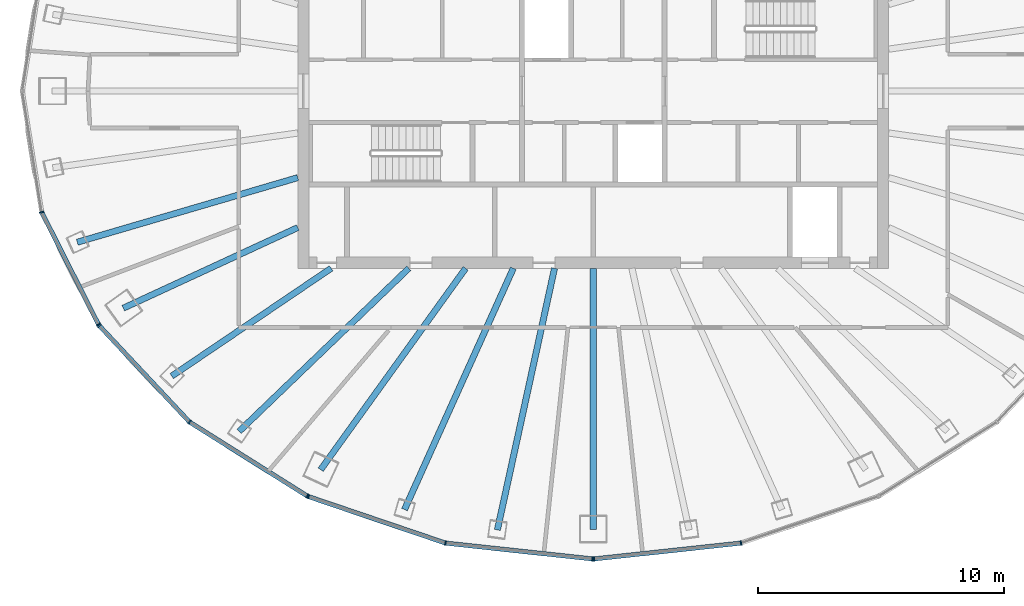
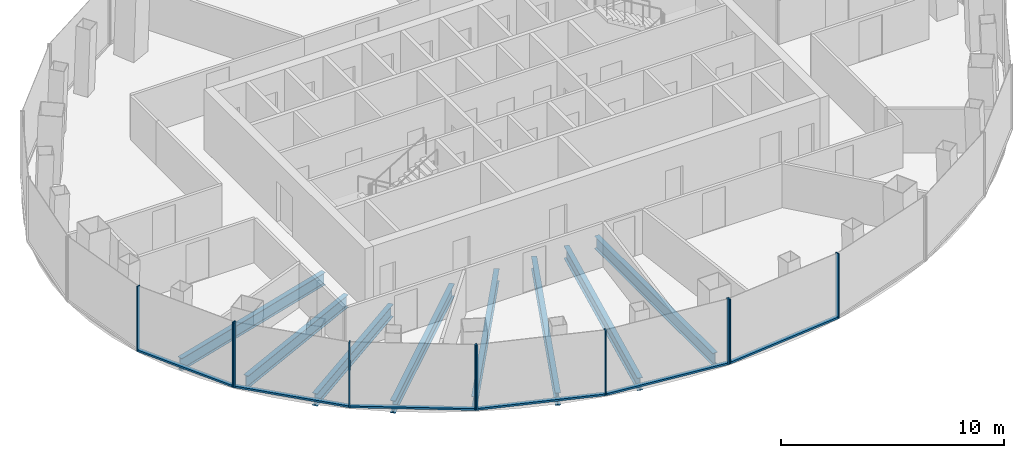
# One storey, part 2 of 11: 16 members, 8 beams, 4 elements without a shape of their own.
"""IFC4 building model written with IfcOpenShell, lengths in metres."""

from ifc_helpers import new_model, si_unit, direction, frame, origin, origin_2d, place, context, subcontext, project, spatial, rectangle, i_section, extrude, material, layer, layer_set, material_profile, profile_set, type_object, element, aggregate, save


model = new_model("IFC4")

# Units and contexts
model_context = context("Model", 3, precision=1e-05, world=origin(), true_north=direction((0.0, 1.0)))
body_context = subcontext(model_context, "Body", "Model", "MODEL_VIEW")
ifc_project = project(units=[si_unit("LENGTHUNIT", "METRE"), si_unit("AREAUNIT", "SQUARE_METRE"), si_unit("VOLUMEUNIT", "CUBIC_METRE"), si_unit("PLANEANGLEUNIT", "RADIAN"), si_unit("MASSUNIT", "GRAM", prefix="KILO")], contexts=[model_context])

# Site, building, storey
site_placement = place(None, origin())
site = spatial("IfcSite", under=ifc_project, at=site_placement, CompositionType="ELEMENT")
building_placement = place(site_placement, origin())
building = spatial("IfcBuilding", under=site, at=building_placement, Name="Siaravel Broadcast Tower", CompositionType="ELEMENT")
storey_placement = place(building_placement, frame((0.0, 0.0, 186.699951171875)))
storey = spatial("IfcBuildingStorey", under=building, at=storey_placement, Name="L45", CompositionType="ELEMENT", Elevation=186.699951171875)

# Beams
ifc_material_1 = material(Name="Steel S355", Category="steel")
ifc_material_profile_1 = material_profile(ifc_material_1, i_section(OverallWidth=0.2529296875, OverallDepth=0.677978515625, WebThickness=0.01171875, FlangeThickness=0.01611328125, FilletRadius=0.01513671875, at=origin_2d()))
ifc_profile_set_1 = profile_set([ifc_material_profile_1], Name="Steel S355")
beam_type = type_object("IfcBeamType", Name="BM-UB 686x254x125", PredefinedType="BEAM", material=ifc_profile_set_1)
beam_1_placement = place(storey_placement, frame((-20.95751953125, -6.14111328125, -0.489013671875), z_axis=(0.959649477, 0.281199006, 0.0), x_axis=(-0.281199006, 0.959649477, 0.0)))
element("IfcBeam", 1, at=beam_1_placement, inside=storey, type_object=beam_type, Name="Radial beam RB21", PredefinedType="BEAM", context=body_context, shape_type="SweptSolid", body=[
    extrude(i_section(OverallWidth=0.2529296875, OverallDepth=0.677978515625, WebThickness=0.01171875, FlangeThickness=0.01611328125, FilletRadius=0.01513671875, at=origin_2d()), origin(), (0.0, 0.0, 1.0), 9.334228515625),
])
beam_2_placement = place(storey_placement, frame((-19.089111328125, -8.819091796875, -0.489013671875), z_axis=(0.907801019, 0.419401132, 0.0), x_axis=(-0.419401132, 0.907801019, 0.0)))
element("IfcBeam", 2, at=beam_2_placement, inside=storey, type_object=beam_type, Name="Radial beam RB22", PredefinedType="BEAM", context=body_context, shape_type="SweptSolid", body=[
    extrude(i_section(OverallWidth=0.2529296875, OverallDepth=0.677978515625, WebThickness=0.01171875, FlangeThickness=0.01611328125, FilletRadius=0.01513671875, at=origin_2d()), origin(), (0.0, 0.0, 1.0), 7.80908203125),
])
beam_3_placement = place(storey_placement, frame((-17.121826171875, -11.57958984375, -0.489013671875), z_axis=(0.828346922, 0.560215473, 0.0), x_axis=(-0.560215473, 0.828346922, 0.0)))
element("IfcBeam", 3, at=beam_3_placement, inside=storey, type_object=beam_type, Name="Radial beam RB23", PredefinedType="BEAM", context=body_context, shape_type="SweptSolid", body=[
    extrude(i_section(OverallWidth=0.2529296875, OverallDepth=0.677978515625, WebThickness=0.01171875, FlangeThickness=0.01611328125, FilletRadius=0.01513671875, at=origin_2d()), origin(), (0.0, 0.0, 1.0), 7.81787109375),
])
beam_4_placement = place(storey_placement, frame((-14.3828125, -13.8232421875, -0.489013671875), z_axis=(0.720990601, 0.692944841, 0.0), x_axis=(-0.692944841, 0.720990601, 0.0)))
element("IfcBeam", 4, at=beam_4_placement, inside=storey, type_object=beam_type, Name="Radial beam RB24", PredefinedType="BEAM", context=body_context, shape_type="SweptSolid", body=[
    extrude(i_section(OverallWidth=0.2529296875, OverallDepth=0.677978515625, WebThickness=0.01171875, FlangeThickness=0.01611328125, FilletRadius=0.01513671875, at=origin_2d()), origin(), (0.0, 0.0, 1.0), 9.55810546875),
])
beam_5_placement = place(storey_placement, frame((-11.070068359375, -15.378173828125, -0.489013671875), z_axis=(0.584231963, 0.811586726, 0.0), x_axis=(-0.811586726, 0.584231963, 0.0)))
element("IfcBeam", 5, at=beam_5_placement, inside=storey, type_object=beam_type, Name="Radial beam RB25", PredefinedType="BEAM", context=body_context, shape_type="SweptSolid", body=[
    extrude(i_section(OverallWidth=0.2529296875, OverallDepth=0.677978515625, WebThickness=0.01171875, FlangeThickness=0.01611328125, FilletRadius=0.01513671875, at=origin_2d()), origin(), (0.0, 0.0, 1.0), 10.076904296875),
])
beam_6_placement = place(storey_placement, frame((-7.665283203125, -16.998779296875, -0.489013671875), z_axis=(0.411059642, 0.911608453, 0.0), x_axis=(-0.911608453, 0.411059642, 0.0)))
element("IfcBeam", 6, at=beam_6_placement, inside=storey, type_object=beam_type, Name="Radial beam RB26", PredefinedType="BEAM", context=body_context, shape_type="SweptSolid", body=[
    extrude(i_section(OverallWidth=0.2529296875, OverallDepth=0.677978515625, WebThickness=0.01171875, FlangeThickness=0.01611328125, FilletRadius=0.01513671875, at=origin_2d()), origin(), (0.0, 0.0, 1.0), 10.7490234375),
])
beam_7_placement = place(storey_placement, frame((-3.8935546875, -17.826416015625, -0.489013671875), z_axis=(0.213390286, 0.976967034, 0.0), x_axis=(-0.976967034, 0.213390286, 0.0)))
element("IfcBeam", 7, at=beam_7_placement, inside=storey, type_object=beam_type, Name="Radial beam RB27", PredefinedType="BEAM", context=body_context, shape_type="SweptSolid", body=[
    extrude(i_section(OverallWidth=0.2529296875, OverallDepth=0.677978515625, WebThickness=0.01171875, FlangeThickness=0.01611328125, FilletRadius=0.01513671875, at=origin_2d()), origin(), (0.0, 0.0, 1.0), 10.876953125),
])
beam_8_placement = place(storey_placement, frame((0.0, -17.805419921875, -0.489013671875), z_axis=(0.0, 1.0, 0.0), x_axis=(-1.0, 0.0, 0.0)))
element("IfcBeam", 8, at=beam_8_placement, inside=storey, type_object=beam_type, Name="Radial beam RB28", PredefinedType="BEAM", context=body_context, shape_type="SweptSolid", body=[
    extrude(i_section(OverallWidth=0.2529296875, OverallDepth=0.677978515625, WebThickness=0.01171875, FlangeThickness=0.01611328125, FilletRadius=0.01513671875, at=origin_2d()), origin(), (0.0, 0.0, 1.0), 10.60546875),
])

# Curtain wall, members
ifc_material_2 = material(Name="Aluminium 6063-T6", Category="aluminium")
ifc_layer = layer(ifc_material_2, 0.179931640625)
ifc_layer_set = layer_set([ifc_layer], Name="Aluminium 6063-T6")
curtain_wall_type = type_object("IfcCurtainWallType", Name="Unitised curtain wall, zone 3", PredefinedType="NOTDEFINED", material=ifc_layer_set)
curtain_wall_1_placement = place(storey_placement, origin())
curtain_wall_1 = element("IfcCurtainWall", 9, at=curtain_wall_1_placement, inside=storey, type_object=curtain_wall_type, Name="L45 Unitised curtain wall, zone 3 07", PredefinedType="NOTDEFINED")
ifc_material_profile_2 = material_profile(ifc_material_2, rectangle(XDim=0.179931640625, YDim=0.06005859375, at=origin_2d()))
ifc_profile_set_2 = profile_set([ifc_material_profile_2], Name="Aluminium 6063-T6")
member_type_1 = type_object("IfcMemberType", Name="CW-Z3 mullion", PredefinedType="MULLION", material=ifc_profile_set_2)
member_1_placement = place(storey_placement, frame((-22.4033203125, -4.922119140625, 0.0), z_axis=(0.0, 0.0, 1.0), x_axis=(0.95117718, 0.308645383, 0.0)))
member_1 = element("IfcMember", 10, at=member_1_placement, type_object=member_type_1, Name="CW-Z3 mullion 2", PredefinedType="MULLION", context=body_context, shape_type="SweptSolid", body=[
    extrude(rectangle(XDim=0.179931640625, YDim=0.06005859375, at=origin_2d()), origin(), (0.0, 0.0, 1.0), 3.550048828125),
])
member_2_placement = place(storey_placement, frame((-20.09814453125, -9.48095703125, 0.0), z_axis=(0.0, 0.0, 1.0), x_axis=(0.892392002, 0.451261028, 0.0)))
member_2 = element("IfcMember", 11, at=member_2_placement, type_object=member_type_1, Name="CW-Z3 mullion 3", PredefinedType="MULLION", context=body_context, shape_type="SweptSolid", body=[
    extrude(rectangle(XDim=0.179931640625, YDim=0.06005859375, at=origin_2d()), origin(), (0.0, 0.0, 1.0), 3.550048828125),
])

curtain_wall_2_placement = place(storey_placement, origin())
curtain_wall_2 = element("IfcCurtainWall", 12, at=curtain_wall_2_placement, inside=storey, type_object=curtain_wall_type, Name="L45 Unitised curtain wall, zone 3 08", PredefinedType="NOTDEFINED")
member_3_placement = place(storey_placement, frame((-20.064208984375, -9.52978515625, 0.0), z_axis=(0.0, 0.0, 1.0), x_axis=(0.729805016, 0.683655351, 0.0)))
member_3 = element("IfcMember", 13, at=member_3_placement, type_object=member_type_1, Name="CW-Z3 mullion 1", PredefinedType="MULLION", context=body_context, shape_type="SweptSolid", body=[
    extrude(rectangle(XDim=0.179931640625, YDim=0.06005859375, at=origin_2d()), origin(), (0.0, 0.0, 1.0), 3.550048828125),
])
member_4_placement = place(storey_placement, frame((-16.397216796875, -13.44384765625, 0.0), z_axis=(0.0, 0.0, 1.0), x_axis=(0.636218366, 0.771509035, 0.0)))
member_4 = element("IfcMember", 14, at=member_4_placement, type_object=member_type_1, Name="CW-Z3 mullion 2", PredefinedType="MULLION", context=body_context, shape_type="SweptSolid", body=[
    extrude(rectangle(XDim=0.179931640625, YDim=0.06005859375, at=origin_2d()), origin(), (0.0, 0.0, 1.0), 3.550048828125),
])
member_5_placement = place(storey_placement, frame((-11.618896484375, -16.447265625, 0.0), z_axis=(0.0, 0.0, 1.0), x_axis=(0.532148919, 0.846650771, 0.0)))
member_5 = element("IfcMember", 15, at=member_5_placement, type_object=member_type_1, Name="CW-Z3 mullion 3", PredefinedType="MULLION", context=body_context, shape_type="SweptSolid", body=[
    extrude(rectangle(XDim=0.179931640625, YDim=0.06005859375, at=origin_2d()), origin(), (0.0, 0.0, 1.0), 3.550048828125),
])

curtain_wall_3_placement = place(storey_placement, origin())
curtain_wall_3 = element("IfcCurtainWall", 16, at=curtain_wall_3_placement, inside=storey, type_object=curtain_wall_type, Name="L45 Unitised curtain wall, zone 3 09", PredefinedType="NOTDEFINED")
member_6_placement = place(storey_placement, frame((-11.565185546875, -16.472900390625, 0.0), z_axis=(0.0, 0.0, 1.0), x_axis=(0.321300369, 0.946977335, 0.0)))
member_6 = element("IfcMember", 17, at=member_6_placement, type_object=member_type_1, Name="CW-Z3 mullion 1", PredefinedType="MULLION", context=body_context, shape_type="SweptSolid", body=[
    extrude(rectangle(XDim=0.179931640625, YDim=0.06005859375, at=origin_2d()), origin(), (0.0, 0.0, 1.0), 3.550048828125),
])
member_7_placement = place(storey_placement, frame((-6.0009765625, -18.36083984375, 0.0), z_axis=(0.0, 0.0, 1.0), x_axis=(0.215557889, 0.976491063, 0.0)))
member_7 = element("IfcMember", 18, at=member_7_placement, type_object=member_type_1, Name="CW-Z3 mullion 2", PredefinedType="MULLION", context=body_context, shape_type="SweptSolid", body=[
    extrude(rectangle(XDim=0.179931640625, YDim=0.06005859375, at=origin_2d()), origin(), (0.0, 0.0, 1.0), 3.550048828125),
])
member_8_placement = place(storey_placement, frame((-0.02978515625, -19.004638671875, 0.0), z_axis=(0.0, 0.0, 1.0), x_axis=(0.107217391, 0.994235601, 0.0)))
member_8 = element("IfcMember", 19, at=member_8_placement, type_object=member_type_1, Name="CW-Z3 mullion 3", PredefinedType="MULLION", context=body_context, shape_type="SweptSolid", body=[
    extrude(rectangle(XDim=0.179931640625, YDim=0.06005859375, at=origin_2d()), origin(), (0.0, 0.0, 1.0), 3.550048828125),
])

curtain_wall_4_placement = place(storey_placement, origin())
curtain_wall_4 = element("IfcCurtainWall", 20, at=curtain_wall_4_placement, inside=storey, type_object=curtain_wall_type, Name="L45 Unitised curtain wall, zone 3 10", PredefinedType="NOTDEFINED")
member_9_placement = place(storey_placement, frame((0.02978515625, -19.004638671875, 0.0), z_axis=(0.0, 0.0, 1.0), x_axis=(-0.107217391, 0.994235601, 0.0)))
member_9 = element("IfcMember", 21, at=member_9_placement, type_object=member_type_1, Name="CW-Z3 mullion 1", PredefinedType="MULLION", context=body_context, shape_type="SweptSolid", body=[
    extrude(rectangle(XDim=0.179931640625, YDim=0.06005859375, at=origin_2d()), origin(), (0.0, 0.0, 1.0), 3.550048828125),
])
member_10_placement = place(storey_placement, frame((6.0009765625, -18.36083984375, 0.0), z_axis=(0.0, 0.0, 1.0), x_axis=(-0.215557889, 0.976491063, 0.0)))
member_10 = element("IfcMember", 22, at=member_10_placement, type_object=member_type_1, Name="CW-Z3 mullion 2", PredefinedType="MULLION", context=body_context, shape_type="SweptSolid", body=[
    extrude(rectangle(XDim=0.179931640625, YDim=0.06005859375, at=origin_2d()), origin(), (0.0, 0.0, 1.0), 3.550048828125),
])

# Member
ifc_material_profile_3 = material_profile(ifc_material_2, rectangle(XDim=0.179931640625, YDim=0.10009765625, at=origin_2d()))
ifc_profile_set_3 = profile_set([ifc_material_profile_3], Name="Aluminium 6063-T6")
member_type_2 = type_object("IfcMemberType", Name="CW-Z3 transom", PredefinedType="USERDEFINED", material=ifc_profile_set_3)
member_11_placement = place(storey_placement, frame((-22.389892578125, -4.948974609375, 0.050048828125), z_axis=(0.451251966, -0.892396584, 0.0), x_axis=(0.892396584, 0.451251966, 0.0)))
member_11 = element("IfcMember", 23, at=member_11_placement, type_object=member_type_2, Name="CW-Z3 transom 2", ObjectType="TRANSOM", PredefinedType="USERDEFINED", context=body_context, shape_type="SweptSolid", body=[
    extrude(rectangle(XDim=0.179931640625, YDim=0.10009765625, at=origin_2d()), origin(), (0.0, 0.0, 1.0), 5.04833984375),
])

aggregate(curtain_wall_1, [member_1, member_2, member_11])

member_12_placement = place(storey_placement, frame((-20.043701171875, -9.551513671875, 0.050048828125), z_axis=(0.683668525, -0.729792674, 0.0), x_axis=(0.729792674, 0.683668525, 0.0)))
member_12 = element("IfcMember", 24, at=member_12_placement, type_object=member_type_2, Name="CW-Z3 transom 1", ObjectType="TRANSOM", PredefinedType="USERDEFINED", context=body_context, shape_type="SweptSolid", body=[
    extrude(rectangle(XDim=0.179931640625, YDim=0.10009765625, at=origin_2d()), origin(), (0.0, 0.0, 1.0), 5.3037109375),
])

member_13_placement = place(storey_placement, frame((-16.371826171875, -13.4599609375, 0.050048828125), z_axis=(0.846649494, -0.53215095, 0.0), x_axis=(0.53215095, 0.846649494, 0.0)))
member_13 = element("IfcMember", 25, at=member_13_placement, type_object=member_type_2, Name="CW-Z3 transom 2", ObjectType="TRANSOM", PredefinedType="USERDEFINED", context=body_context, shape_type="SweptSolid", body=[
    extrude(rectangle(XDim=0.179931640625, YDim=0.10009765625, at=origin_2d()), origin(), (0.0, 0.0, 1.0), 5.583740234375),
])

aggregate(curtain_wall_2, [member_3, member_4, member_5, member_12, member_13])

member_14_placement = place(storey_placement, frame((-11.536865234375, -16.482421875, 0.050048828125), z_axis=(0.946978016, -0.321298361, 0.0), x_axis=(0.321298361, 0.946978016, 0.0)))
member_14 = element("IfcMember", 26, at=member_14_placement, type_object=member_type_2, Name="CW-Z3 transom 1", ObjectType="TRANSOM", PredefinedType="USERDEFINED", context=body_context, shape_type="SweptSolid", body=[
    extrude(rectangle(XDim=0.179931640625, YDim=0.10009765625, at=origin_2d()), origin(), (0.0, 0.0, 1.0), 5.81591796875),
])

member_15_placement = place(storey_placement, frame((-5.97119140625, -18.364013671875, 0.050048828125), z_axis=(0.994236066, -0.107213083, 0.0), x_axis=(0.107213083, 0.994236066, 0.0)))
member_15 = element("IfcMember", 27, at=member_15_placement, type_object=member_type_2, Name="CW-Z3 transom 2", ObjectType="TRANSOM", PredefinedType="USERDEFINED", context=body_context, shape_type="SweptSolid", body=[
    extrude(rectangle(XDim=0.179931640625, YDim=0.10009765625, at=origin_2d()), origin(), (0.0, 0.0, 1.0), 5.945556640625),
])

aggregate(curtain_wall_3, [member_6, member_7, member_8, member_14, member_15])

member_16_placement = place(storey_placement, frame((0.059814453125, -19.00146484375, 0.050048828125), z_axis=(0.994236066, 0.107213083, 0.0), x_axis=(-0.107213083, 0.994236066, 0.0)))
member_16 = element("IfcMember", 28, at=member_16_placement, type_object=member_type_2, Name="CW-Z3 transom 1", ObjectType="TRANSOM", PredefinedType="USERDEFINED", context=body_context, shape_type="SweptSolid", body=[
    extrude(rectangle(XDim=0.179931640625, YDim=0.10009765625, at=origin_2d()), origin(), (0.0, 0.0, 1.0), 5.945556640625),
])

aggregate(curtain_wall_4, [member_9, member_10, member_16])

save(model, "model.ifc")
